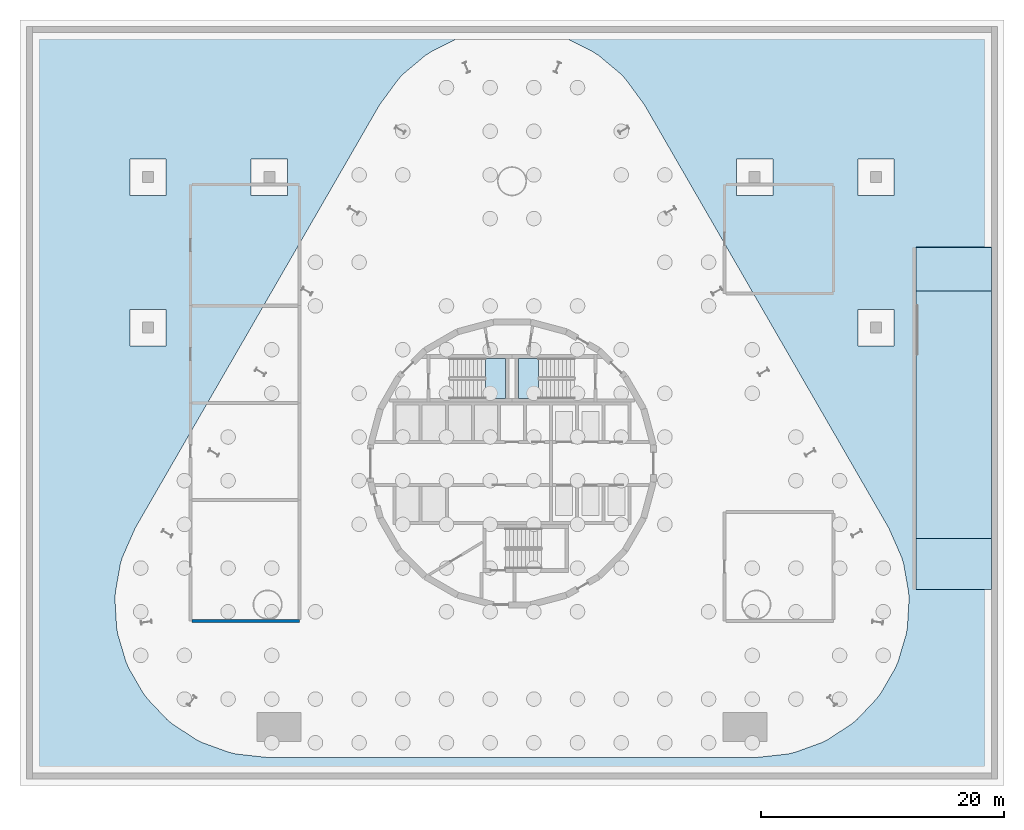
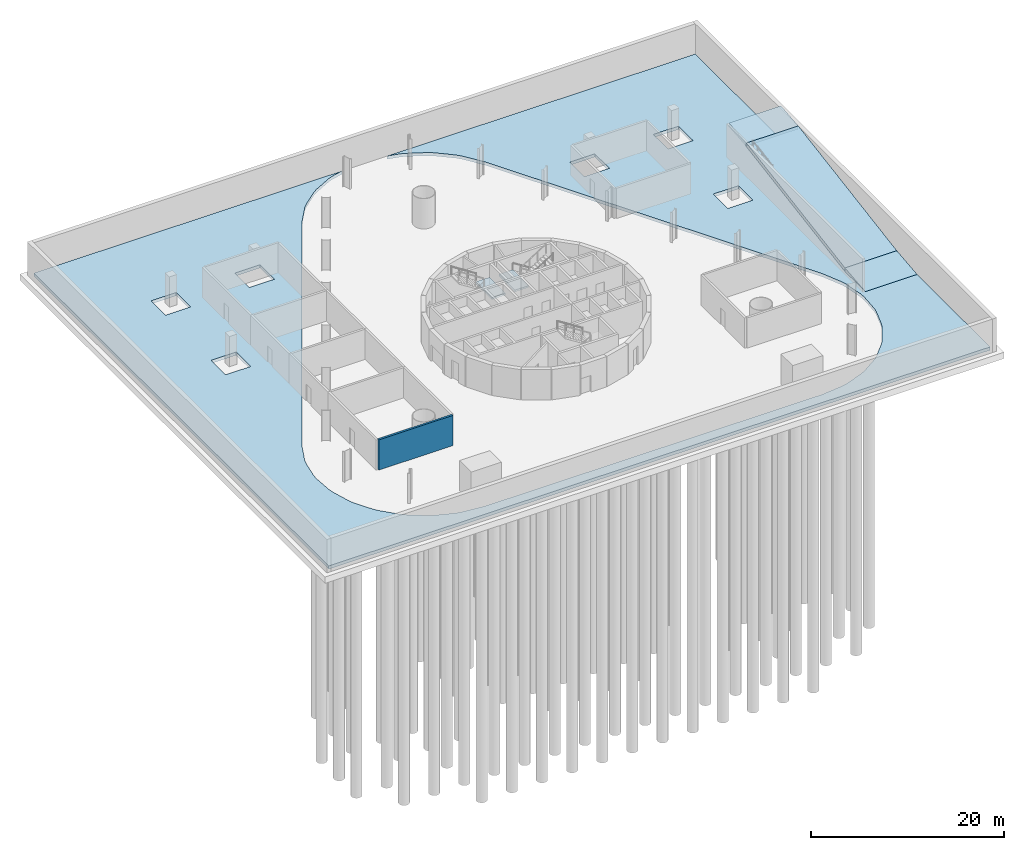
# One storey, part 4 of 11: 6 slabs, 1 wall, 2 elements without a shape of their own.
"""IFC4 building model written with IfcOpenShell, lengths in metres."""

from ifc_helpers import new_model, si_unit, direction, frame, frame_2d, origin, place, context, subcontext, project, spatial, polyline, rectangle, outline, extrude, material, layer, layer_set, type_object, element, aggregate, save


model = new_model("IFC4")

# Units and contexts
model_context = context("Model", 3, precision=1e-05, world=origin(), true_north=direction((0.0, 1.0)))
body_context = subcontext(model_context, "Body", "Model", "MODEL_VIEW")
ifc_project = project(units=[si_unit("LENGTHUNIT", "METRE"), si_unit("AREAUNIT", "SQUARE_METRE"), si_unit("VOLUMEUNIT", "CUBIC_METRE"), si_unit("PLANEANGLEUNIT", "RADIAN"), si_unit("MASSUNIT", "GRAM", prefix="KILO")], contexts=[model_context])

# Site, building, storey
site_placement = place(None, origin())
site = spatial("IfcSite", under=ifc_project, at=site_placement, CompositionType="ELEMENT")
building_placement = place(site_placement, origin())
building = spatial("IfcBuilding", under=site, at=building_placement, Name="Spindle Arch Residences", CompositionType="ELEMENT")
storey_placement = place(building_placement, frame((0.0, 0.0, -8.39990234375)))
storey = spatial("IfcBuildingStorey", under=building, at=storey_placement, Name="B2", CompositionType="ELEMENT", Elevation=-8.39990234375)

# Slabs
ifc_material_1 = material(Name="Concrete C40/50", Category="concrete")
ifc_layer_1 = layer(ifc_material_1, 0.39990234375)
ifc_layer_set_1 = layer_set([ifc_layer_1], Name="Base slab 400")
slab_type_1 = type_object("IfcSlabType", Name="Base slab 400", PredefinedType="BASESLAB", material=ifc_layer_set_1)
slab_1_placement = place(storey_placement, frame((0.0, 0.0, -0.400146484375)))
element("IfcSlab", 1, at=slab_1_placement, inside=storey, type_object=slab_type_1, Name="Base slab", PredefinedType="BASESLAB", context=body_context, shape_type="SweptSolid", body=[
    extrude(outline(polyline([(39.5, -25.5), (-39.5, -25.5), (-39.5, 35.5), (-2.69482421875, 35.5), (-4.031005859375, 35.183349609375), (-4.576416015625, 34.98486328125), (-6.672119140625, 33.932373046875), (-7.156982421875, 33.61328125), (-8.953369140625, 32.10595703125), (-9.351806640625, 31.683837890625), (-10.911865234375, 29.559814453125), (-31.055419921875, -5.329833984375), (-32.11474609375, -7.742919921875), (-32.28125, -8.299072265625), (-32.6884765625, -10.6083984375), (-32.722412109375, -11.18798828125), (-32.5859375, -13.529052734375), (-32.485107421875, -14.100830078125), (-31.8125, -16.347412109375), (-31.58251953125, -16.88037109375), (-30.41015625, -18.9111328125), (-30.0634765625, -19.376708984375), (-28.4541015625, -21.08251953125), (-28.009521484375, -21.455810546875), (-26.05029296875, -22.744384765625), (-25.531494140625, -23.0048828125), (-23.327880859375, -23.806884765625), (-22.762939453125, -23.94091796875), (-20.1435546875, -24.22998046875), (20.1435546875, -24.22998046875), (22.762939453125, -23.94091796875), (23.327880859375, -23.806884765625), (25.531494140625, -23.0048828125), (26.05029296875, -22.744384765625), (28.009521484375, -21.455810546875), (28.4541015625, -21.08251953125), (30.0634765625, -19.376708984375), (30.41015625, -18.9111328125), (31.58251953125, -16.88037109375), (31.8125, -16.347412109375), (32.485107421875, -14.100830078125), (32.5859375, -13.529052734375), (32.722412109375, -11.18798828125), (32.6884765625, -10.6083984375), (32.28125, -8.299072265625), (32.11474609375, -7.742919921875), (31.055419921875, -5.329833984375), (10.911865234375, 29.559814453125), (9.351806640625, 31.683837890625), (8.953369140625, 32.10595703125), (7.156982421875, 33.61328125), (6.672119140625, 33.932373046875), (4.576416015625, 34.98486328125), (4.031005859375, 35.183349609375), (2.69482421875, 35.5), (39.5, 35.5), (39.5, -25.5)]), holes=[polyline([(-31.5, 9.699951171875), (-28.5, 9.699951171875), (-28.5, 12.699951171875), (-31.5, 12.699951171875), (-31.5, 9.699951171875)]), polyline([(28.5, 12.699951171875), (28.5, 9.699951171875), (31.5, 9.699951171875), (31.5, 12.699951171875), (28.5, 12.699951171875)]), polyline([(-31.5, 25.10009765625), (-31.5, 22.10009765625), (-28.5, 22.10009765625), (-28.5, 25.10009765625), (-31.5, 25.10009765625)]), polyline([(-21.5, 22.10009765625), (-18.5, 22.10009765625), (-18.5, 25.10009765625), (-21.5, 25.10009765625), (-21.5, 22.10009765625)]), polyline([(18.5, 25.10009765625), (18.5, 22.10009765625), (21.5, 22.10009765625), (21.5, 25.10009765625), (18.5, 25.10009765625)]), polyline([(28.5, 25.10009765625), (28.5, 22.10009765625), (31.5, 22.10009765625), (31.5, 25.10009765625), (28.5, 25.10009765625)])]), origin(), (0.0, 0.0, 1.0), 0.400146484375),
])
ifc_material_2 = material(Name="Concrete C32/40", Category="concrete")
ifc_layer_2 = layer(ifc_material_2, 0.449951171875)
ifc_layer_set_2 = layer_set([ifc_layer_2], Name="Car park ramp slab C32/40 450")
slab_type_2 = type_object("IfcSlabType", Name="Car park ramp slab C32/40 450", PredefinedType="LANDING", material=ifc_layer_set_2)
slab_2_placement = place(storey_placement, frame((33.300048828125, 17.800048828125, 4.199951171875), z_axis=(0.0, -0.096790119576, 0.99530481399), x_axis=(1.0, 0.0, 0.0)))
element("IfcSlab", 2, at=slab_2_placement, inside=storey, type_object=slab_type_2, Name="Car park vehicle ramp E1 slab 1", PredefinedType="LANDING", context=body_context, shape_type="SweptSolid", body=[
    extrude(outline(polyline([(0.0, 0.0), (6.199951171875, 0.0), (6.199951171875, -3.6171875), (0.0, -3.6171875), (0.0, 0.0)])), origin(), (0.0, 0.0, -1.0), 0.449951171875),
])
slab_3_placement = place(storey_placement, frame((33.300048828125, 14.199951171875, 3.849853515625), z_axis=(0.0, -0.164395158685, 0.986394561928), x_axis=(1.0, 0.0, 0.0)))
element("IfcSlab", 3, at=slab_3_placement, inside=storey, type_object=slab_type_2, Name="Car park vehicle ramp E1 slab 2", PredefinedType="LANDING", context=body_context, shape_type="SweptSolid", body=[
    extrude(outline(polyline([(0.0, 0.0), (6.199951171875, 0.0), (6.199951171875, -20.681396484375), (0.0, -20.681396484375), (0.0, 0.0)])), origin(), (0.0, 0.0, -1.0), 0.449951171875),
])
slab_4_placement = place(storey_placement, frame((36.39990234375, -6.199951171875, 0.0), z_axis=(0.0, 0.0, 1.0), x_axis=(0.0, -1.0, 0.0)))
element("IfcSlab", 4, at=slab_4_placement, inside=storey, type_object=slab_type_2, Name="Car park vehicle ramp E1 slab 3", PredefinedType="LANDING", context=body_context, shape_type="SweptSolid", body=[
    extrude(outline(polyline([(0.0, 0.0), (4.199951171875, 0.0), (4.199951171875, 0.0), (0.0, 0.449951171875), (0.0, 0.0)])), frame((0.0, 3.10009765625, 0.0), z_axis=(0.0, -1.0, 0.0), x_axis=(1.0, 0.0, 0.0)), (0.0, 0.0, 1.0), 6.199951171875),
])

# Stair, slab
ifc_material_3 = material(Name="Concrete C50/60", Category="concrete")
stair_type = type_object("IfcStairType", Name="Exit stair 20 risers", PredefinedType="HALF_TURN_STAIR", material=ifc_material_3)
stair_1_placement = place(storey_placement, origin())
stair_1 = element("IfcStair", 5, at=stair_1_placement, inside=storey, type_object=stair_type, Name="B2 Exit stair ST1", PredefinedType="HALF_TURN_STAIR")
ifc_material_4 = material(Name="Concrete C50/60", Category="concrete")
ifc_layer_3 = layer(ifc_material_4, 0.219970703125)
ifc_layer_set_3 = layer_set([ifc_layer_3], Name="Exit stair landing 220")
slab_type_3 = type_object("IfcSlabType", Name="Exit stair landing 220", PredefinedType="LANDING", material=ifc_layer_set_3)
slab_5_placement = place(storey_placement, frame((0.0, 0.0, 1.8798828125)))
slab_5 = element("IfcSlab", 6, at=slab_5_placement, type_object=slab_type_3, Name="ST1 landing 1", PredefinedType="LANDING", context=body_context, shape_type="SweptSolid", body=[
    extrude(outline(polyline([(2.199951171875, 8.669921875), (0.550048828125, 8.669921875), (0.550048828125, 5.35009765625), (2.199951171875, 5.35009765625), (2.199951171875, 8.669921875)])), origin(), (0.0, 0.0, 1.0), 0.219970703125),
])
aggregate(stair_1, [slab_5])

stair_2_placement = place(storey_placement, origin())
stair_2 = element("IfcStair", 7, at=stair_2_placement, inside=storey, type_object=stair_type, Name="B2 Exit stair ST2", PredefinedType="HALF_TURN_STAIR")
slab_6_placement = place(storey_placement, frame((0.0, 0.0, 1.8798828125)))
slab_6 = element("IfcSlab", 8, at=slab_6_placement, type_object=slab_type_3, Name="ST2 landing 1", PredefinedType="LANDING", context=body_context, shape_type="SweptSolid", body=[
    extrude(outline(polyline([(-2.199951171875, 5.35009765625), (-0.550048828125, 5.35009765625), (-0.550048828125, 8.669921875), (-2.199951171875, 8.669921875), (-2.199951171875, 5.35009765625)])), origin(), (0.0, 0.0, 1.0), 0.219970703125),
])
aggregate(stair_2, [slab_6])

# Wall
ifc_material_5 = material(Name="Concrete C25/30 wall", Category="concrete")
ifc_layer_4 = layer(ifc_material_5, 0.25)
ifc_layer_set_4 = layer_set([ifc_layer_4], Name="Partition EI 120 250 plant")
wall_type = type_object("IfcWallType", Name="Partition EI 120 250 plant", PredefinedType="PARTITIONING", material=ifc_layer_set_4)
wall_placement = place(storey_placement, frame((-17.5, -13.0, 0.0), z_axis=(0.0, 0.0, 1.0), x_axis=(-1.0, 0.0, 0.0)))
element("IfcWall", 9, at=wall_placement, inside=storey, type_object=wall_type, Name="B2-W009", PredefinedType="PARTITIONING", context=body_context, shape_type="SweptSolid", body=[
    extrude(rectangle(XDim=8.875, YDim=0.25, at=frame_2d((4.4375, 0.0))), origin(), (0.0, 0.0, 1.0), 3.81982421875),
])

save(model, "model.ifc")
